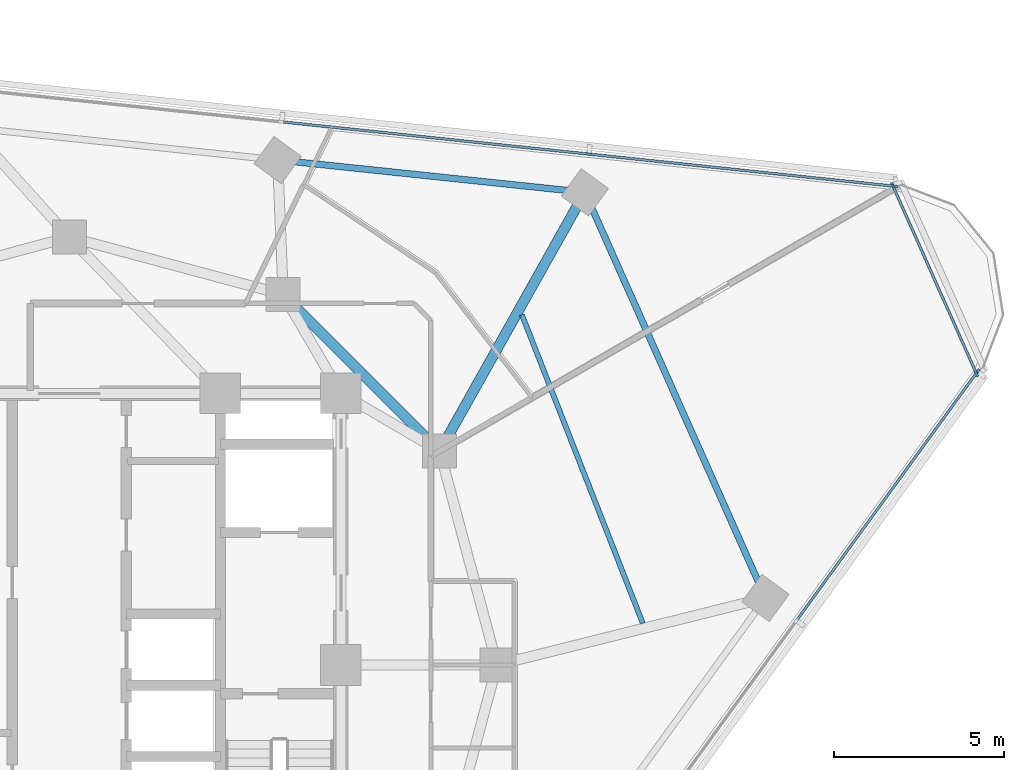
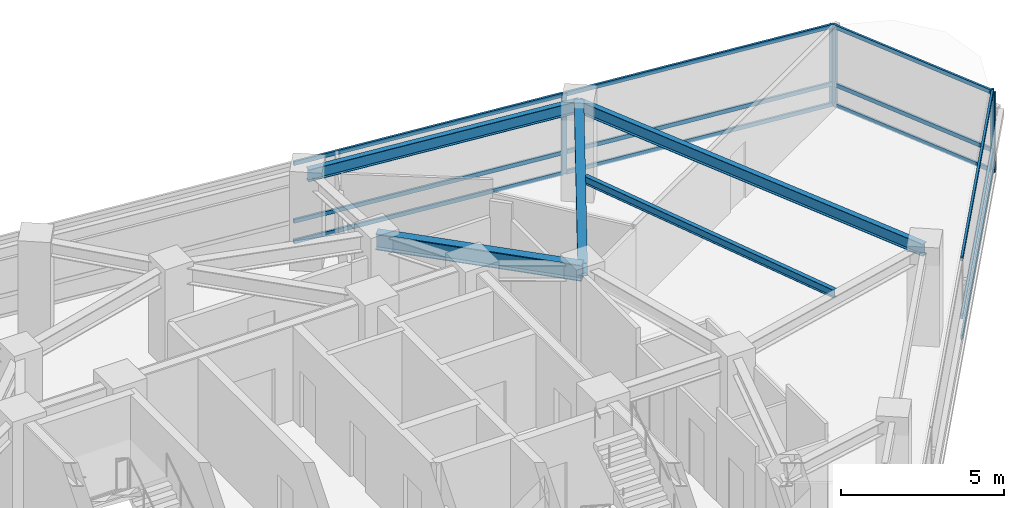
# One storey, part 6 of 14: 17 members, 5 beams, 3 elements without a shape of their own.
"""IFC4 building model written with IfcOpenShell, lengths in metres."""

from ifc_helpers import new_model, si_unit, direction, frame, origin, origin_2d, place, context, subcontext, project, spatial, rectangle, i_section, extrude, material, layer, layer_set, material_profile, profile_set, type_object, element, aggregate, save


model = new_model("IFC4")

# Units and contexts
model_context = context("Model", 3, precision=1e-05, world=origin(), true_north=direction((0.0, 1.0)))
body_context = subcontext(model_context, "Body", "Model", "MODEL_VIEW")
ifc_project = project(units=[si_unit("LENGTHUNIT", "METRE"), si_unit("AREAUNIT", "SQUARE_METRE"), si_unit("VOLUMEUNIT", "CUBIC_METRE"), si_unit("PLANEANGLEUNIT", "RADIAN"), si_unit("MASSUNIT", "GRAM", prefix="KILO")], contexts=[model_context])

# Site, building, storey
site_placement = place(None, origin())
site = spatial("IfcSite", under=ifc_project, at=site_placement, CompositionType="ELEMENT")
building_placement = place(site_placement, origin())
building = spatial("IfcBuilding", under=site, at=building_placement, Name="Terralouvre Media Tower", CompositionType="ELEMENT")
storey_placement = place(building_placement, frame((0.0, 0.0, 241.10009765625)))
storey = spatial("IfcBuildingStorey", under=building, at=storey_placement, Name="L62", CompositionType="ELEMENT", Elevation=241.10009765625)

# Beam
ifc_material_1 = material(Name="Structural steel S355J2", Category="steel")
ifc_material_profile_1 = material_profile(ifc_material_1, i_section(OverallWidth=0.14990234375, OverallDepth=0.300048828125, WebThickness=0.007080078125, FlangeThickness=0.0107421875, at=origin_2d()), Name="IPE 300")
ifc_profile_set_1 = profile_set([ifc_material_profile_1], Name="Structural steel S355J2")
beam_type_1 = type_object("IfcBeamType", Name="Composite Floor Joist J-IPE300 (IPE 300)", PredefinedType="JOIST", material=ifc_profile_set_1)
beam_1_placement = place(storey_placement, frame((16.89599609375, 1.2236328125, 3.349853515625), z_axis=(-0.364828295423, 0.931074817004, 0.0), x_axis=(-0.931074817004, -0.364828295423, 0.0)))
element("IfcBeam", 1, at=beam_1_placement, inside=storey, type_object=beam_type_1, Name="L62 Framing Beam JT-L62-03", PredefinedType="JOIST", context=body_context, shape_type="SweptSolid", body=[
    extrude(i_section(OverallWidth=0.14990234375, OverallDepth=0.300048828125, WebThickness=0.007080078125, FlangeThickness=0.0107421875, at=origin_2d()), origin(), (0.0, 0.0, 1.0), 9.763427734375),
])

# Curtain wall, members
ifc_material_2 = material(Name="Low-iron laminated double glazing with solar-control coating", Category="glass")
ifc_layer_1 = layer(ifc_material_2, 0.1650390625, Name="Upper Executive Tower Curtain Wall CW-05")
ifc_layer_set_1 = layer_set([ifc_layer_1], Name="Low-iron laminated double glazing with solar-control coating")
curtain_wall_type_1 = type_object("IfcCurtainWallType", Name="Upper Executive Tower Curtain Wall CW-05", PredefinedType="NOTDEFINED", material=ifc_layer_set_1)
curtain_wall_1_placement = place(storey_placement, origin())
curtain_wall_1 = element("IfcCurtainWall", 2, at=curtain_wall_1_placement, inside=storey, type_object=curtain_wall_type_1, Name="L62 Facade Curtain Wall F0", PredefinedType="NOTDEFINED")
ifc_material_3 = material(Name="Anodised extruded aluminium 6063-T6", Category="aluminium")
ifc_material_profile_2 = material_profile(ifc_material_3, rectangle(XDim=0.074951171875, YDim=0.14990234375, at=origin_2d()), Name="ALU 75x150")
ifc_profile_set_2 = profile_set([ifc_material_profile_2], Name="Anodised extruded aluminium 6063-T6")
member_type_1 = type_object("IfcMemberType", Name="Curtain-Wall Horizontal Transom TR-150", PredefinedType="USERDEFINED", material=ifc_profile_set_2)
member_1_placement = place(storey_placement, frame((21.446533203125, 1.3369140625, 0.037353515625), z_axis=(0.587787215692, 0.809015567878, 0.0), x_axis=(-0.809015567878, 0.587787215692, 0.0)))
member_1 = element("IfcMember", 3, at=member_1_placement, type_object=member_type_1, Name="CW-05 transom 5.1", ObjectType="TRANSOM", PredefinedType="USERDEFINED", context=body_context, shape_type="SweptSolid", body=[
    extrude(rectangle(XDim=0.074951171875, YDim=0.14990234375, at=origin_2d()), origin(), (0.0, 0.0, 1.0), 8.987548828125),
])
member_2_placement = place(storey_placement, frame((21.446533203125, 1.3369140625, 0.7998046875), z_axis=(0.587787215692, 0.809015567878, 0.0), x_axis=(-0.809015567878, 0.587787215692, 0.0)))
member_2 = element("IfcMember", 4, at=member_2_placement, type_object=member_type_1, Name="CW-05 transom 5.2", ObjectType="TRANSOM", PredefinedType="USERDEFINED", context=body_context, shape_type="SweptSolid", body=[
    extrude(rectangle(XDim=0.074951171875, YDim=0.14990234375, at=origin_2d()), origin(), (0.0, 0.0, 1.0), 8.987548828125),
])
member_3_placement = place(storey_placement, frame((21.446533203125, 1.3369140625, 2.96240234375), z_axis=(0.587787215692, 0.809015567878, 0.0), x_axis=(-0.809015567878, 0.587787215692, 0.0)))
member_3 = element("IfcMember", 5, at=member_3_placement, type_object=member_type_1, Name="CW-05 transom 5.3", ObjectType="TRANSOM", PredefinedType="USERDEFINED", context=body_context, shape_type="SweptSolid", body=[
    extrude(rectangle(XDim=0.074951171875, YDim=0.14990234375, at=origin_2d()), origin(), (0.0, 0.0, 1.0), 8.987548828125),
])

curtain_wall_2_placement = place(storey_placement, origin())
curtain_wall_2 = element("IfcCurtainWall", 6, at=curtain_wall_2_placement, inside=storey, type_object=curtain_wall_type_1, Name="L62 Facade Curtain Wall F1", PredefinedType="NOTDEFINED")
member_4_placement = place(storey_placement, frame((24.2822265625, 14.103759765625, 0.037353515625), z_axis=(-0.994521813919, 0.104529238206, 0.0), x_axis=(-0.104529238206, -0.994521813919, 0.0)))
member_4 = element("IfcMember", 7, at=member_4_placement, type_object=member_type_1, Name="CW-05 transom 1.1", ObjectType="TRANSOM", PredefinedType="USERDEFINED", context=body_context, shape_type="SweptSolid", body=[
    extrude(rectangle(XDim=0.074951171875, YDim=0.14990234375, at=origin_2d()), origin(), (0.0, 0.0, 1.0), 8.987548828125),
])
member_5_placement = place(storey_placement, frame((24.2822265625, 14.103759765625, 0.7998046875), z_axis=(-0.994521813919, 0.104529238206, 0.0), x_axis=(-0.104529238206, -0.994521813919, 0.0)))
member_5 = element("IfcMember", 8, at=member_5_placement, type_object=member_type_1, Name="CW-05 transom 1.2", ObjectType="TRANSOM", PredefinedType="USERDEFINED", context=body_context, shape_type="SweptSolid", body=[
    extrude(rectangle(XDim=0.074951171875, YDim=0.14990234375, at=origin_2d()), origin(), (0.0, 0.0, 1.0), 8.987548828125),
])
member_6_placement = place(storey_placement, frame((24.2822265625, 14.103759765625, 2.96240234375), z_axis=(-0.994521813919, 0.104529238206, 0.0), x_axis=(-0.104529238206, -0.994521813919, 0.0)))
member_6 = element("IfcMember", 9, at=member_6_placement, type_object=member_type_1, Name="CW-05 transom 1.3", ObjectType="TRANSOM", PredefinedType="USERDEFINED", context=body_context, shape_type="SweptSolid", body=[
    extrude(rectangle(XDim=0.074951171875, YDim=0.14990234375, at=origin_2d()), origin(), (0.0, 0.0, 1.0), 8.987548828125),
])
member_7_placement = place(storey_placement, frame((15.26953125, 15.051025390625, 0.037353515625), z_axis=(-0.994522041896, 0.104527069141, 0.0), x_axis=(-0.104527069141, -0.994522041896, 0.0)))
member_7 = element("IfcMember", 10, at=member_7_placement, type_object=member_type_1, Name="CW-05 transom 2.1", ObjectType="TRANSOM", PredefinedType="USERDEFINED", context=body_context, shape_type="SweptSolid", body=[
    extrude(rectangle(XDim=0.074951171875, YDim=0.14990234375, at=origin_2d()), origin(), (0.0, 0.0, 1.0), 9.025146484375),
])
member_8_placement = place(storey_placement, frame((15.26953125, 15.051025390625, 0.7998046875), z_axis=(-0.994522041896, 0.104527069141, 0.0), x_axis=(-0.104527069141, -0.994522041896, 0.0)))
member_8 = element("IfcMember", 11, at=member_8_placement, type_object=member_type_1, Name="CW-05 transom 2.2", ObjectType="TRANSOM", PredefinedType="USERDEFINED", context=body_context, shape_type="SweptSolid", body=[
    extrude(rectangle(XDim=0.074951171875, YDim=0.14990234375, at=origin_2d()), origin(), (0.0, 0.0, 1.0), 9.025146484375),
])
member_9_placement = place(storey_placement, frame((15.26953125, 15.051025390625, 2.96240234375), z_axis=(-0.994522041896, 0.104527069141, 0.0), x_axis=(-0.104527069141, -0.994522041896, 0.0)))
member_9 = element("IfcMember", 12, at=member_9_placement, type_object=member_type_1, Name="CW-05 transom 2.3", ObjectType="TRANSOM", PredefinedType="USERDEFINED", context=body_context, shape_type="SweptSolid", body=[
    extrude(rectangle(XDim=0.074951171875, YDim=0.14990234375, at=origin_2d()), origin(), (0.0, 0.0, 1.0), 9.025146484375),
])

ifc_material_4 = material(Name="Low-iron laminated double glazing with solar-control coating", Category="glass")
ifc_layer_2 = layer(ifc_material_4, 0.1650390625, Name="Rounded Wind-Corner Curved Glazing CW-04")
ifc_layer_set_2 = layer_set([ifc_layer_2], Name="Low-iron laminated double glazing with solar-control coating")
curtain_wall_type_2 = type_object("IfcCurtainWallType", Name="Rounded Wind-Corner Curved Glazing CW-04", PredefinedType="NOTDEFINED", material=ifc_layer_set_2)
curtain_wall_3_placement = place(storey_placement, origin())
curtain_wall_3 = element("IfcCurtainWall", 13, at=curtain_wall_3_placement, inside=storey, type_object=curtain_wall_type_2, Name="L62 Rounded Wind-Corner Curtain Wall C1", PredefinedType="NOTDEFINED")
member_10_placement = place(storey_placement, frame((26.7119140625, 8.609619140625, 0.037353515625), z_axis=(-0.406735002592, 0.913546188031, 0.0), x_axis=(-0.913546188031, -0.406735002592, 0.0)))
member_10 = element("IfcMember", 14, at=member_10_placement, type_object=member_type_1, Name="CW-04 transom 1.1", ObjectType="TRANSOM", PredefinedType="USERDEFINED", context=body_context, shape_type="SweptSolid", body=[
    extrude(rectangle(XDim=0.074951171875, YDim=0.14990234375, at=origin_2d()), origin(), (0.0, 0.0, 1.0), 5.998779296875),
])
member_11_placement = place(storey_placement, frame((26.7119140625, 8.609619140625, 0.7998046875), z_axis=(-0.406735002592, 0.913546188031, 0.0), x_axis=(-0.913546188031, -0.406735002592, 0.0)))
member_11 = element("IfcMember", 15, at=member_11_placement, type_object=member_type_1, Name="CW-04 transom 1.2", ObjectType="TRANSOM", PredefinedType="USERDEFINED", context=body_context, shape_type="SweptSolid", body=[
    extrude(rectangle(XDim=0.074951171875, YDim=0.14990234375, at=origin_2d()), origin(), (0.0, 0.0, 1.0), 5.998779296875),
])
member_12_placement = place(storey_placement, frame((26.7119140625, 8.609619140625, 2.96240234375), z_axis=(-0.406735002592, 0.913546188031, 0.0), x_axis=(-0.913546188031, -0.406735002592, 0.0)))
member_12 = element("IfcMember", 16, at=member_12_placement, type_object=member_type_1, Name="CW-04 transom 1.3", ObjectType="TRANSOM", PredefinedType="USERDEFINED", context=body_context, shape_type="SweptSolid", body=[
    extrude(rectangle(XDim=0.074951171875, YDim=0.14990234375, at=origin_2d()), origin(), (0.0, 0.0, 1.0), 5.998779296875),
])

# Member
ifc_material_5 = material(Name="Anodised extruded aluminium 6063-T6", Category="aluminium")
ifc_material_profile_3 = material_profile(ifc_material_5, rectangle(XDim=0.074951171875, YDim=0.179931640625, at=origin_2d()), Name="ALU 75x180")
ifc_profile_set_3 = profile_set([ifc_material_profile_3], Name="Anodised extruded aluminium 6063-T6")
member_type_2 = type_object("IfcMemberType", Name="Curtain-Wall Vertical Mullion ML-180", PredefinedType="MULLION", material=ifc_profile_set_3)
member_13_placement = place(storey_placement, frame((26.751220703125, 8.63818359375, 0.0), z_axis=(0.0, 0.0, 1.0), x_axis=(-0.809016959074, 0.587785300879, 0.0)))
member_13 = element("IfcMember", 17, at=member_13_placement, type_object=member_type_2, Name="CW-05 mullion 6", PredefinedType="MULLION", context=body_context, shape_type="SweptSolid", body=[
    extrude(rectangle(XDim=0.074951171875, YDim=0.179931640625, at=origin_2d()), origin(), (0.0, 0.0, 1.0), 3.0),
])

aggregate(curtain_wall_1, [member_13, member_1, member_2, member_3])

member_14_placement = place(storey_placement, frame((24.319580078125, 14.099853515625, 0.0), z_axis=(0.0, 0.0, 1.0), x_axis=(-0.104528561651, -0.994521885028, 0.0)))
member_14 = element("IfcMember", 18, at=member_14_placement, type_object=member_type_2, Name="CW-05 mullion 1", PredefinedType="MULLION", context=body_context, shape_type="SweptSolid", body=[
    extrude(rectangle(XDim=0.074951171875, YDim=0.179931640625, at=origin_2d()), origin(), (0.0, 0.0, 1.0), 3.0),
])

member_15_placement = place(storey_placement, frame((15.306640625, 15.047119140625, 0.0), z_axis=(0.0, 0.0, 1.0), x_axis=(-0.104528561651, -0.994521885028, 0.0)))
member_15 = element("IfcMember", 19, at=member_15_placement, type_object=member_type_2, Name="CW-05 mullion 2", PredefinedType="MULLION", context=body_context, shape_type="SweptSolid", body=[
    extrude(rectangle(XDim=0.074951171875, YDim=0.179931640625, at=origin_2d()), origin(), (0.0, 0.0, 1.0), 3.0),
])

aggregate(curtain_wall_2, [member_14, member_15, member_4, member_5, member_6, member_7, member_8, member_9])

member_16_placement = place(storey_placement, frame((26.727294921875, 8.575439453125, 0.0), z_axis=(0.0, 0.0, 1.0), x_axis=(-0.913545102243, -0.406737441315, 0.0)))
member_16 = element("IfcMember", 20, at=member_16_placement, type_object=member_type_2, Name="CW-04 mullion 1", PredefinedType="MULLION", context=body_context, shape_type="SweptSolid", body=[
    extrude(rectangle(XDim=0.074951171875, YDim=0.179931640625, at=origin_2d()), origin(), (0.0, 0.0, 1.0), 3.0),
])

member_17_placement = place(storey_placement, frame((24.2568359375, 14.1240234375, 0.0), z_axis=(0.0, 0.0, 1.0), x_axis=(-0.913545102243, -0.406737441315, 0.0)))
member_17 = element("IfcMember", 21, at=member_17_placement, type_object=member_type_2, Name="CW-04 mullion 2", PredefinedType="MULLION", context=body_context, shape_type="SweptSolid", body=[
    extrude(rectangle(XDim=0.074951171875, YDim=0.179931640625, at=origin_2d()), origin(), (0.0, 0.0, 1.0), 3.0),
])

aggregate(curtain_wall_3, [member_16, member_17, member_10, member_11, member_12])

# Beams
ifc_material_6 = material(Name="Structural steel S355J2", Category="steel")
ifc_material_profile_4 = material_profile(ifc_material_6, i_section(OverallWidth=0.18994140625, OverallDepth=0.449951171875, WebThickness=0.009521484375, FlangeThickness=0.0146484375, at=origin_2d()), Name="IPE 450")
ifc_profile_set_4 = profile_set([ifc_material_profile_4], Name="Structural steel S355J2")
beam_type_2 = type_object("IfcBeamType", Name="Perimeter Spandrel Beam SPB-450 (IPE 450)", PredefinedType="SPANDREL", material=ifc_profile_set_4)
beam_2_placement = place(storey_placement, frame((20.51025390625, 1.970703125, 3.27490234375), z_axis=(-0.406744336382, 0.913542032323, 0.0), x_axis=(-0.913542032323, -0.406744336382, 0.0)))
element("IfcBeam", 22, at=beam_2_placement, inside=storey, type_object=beam_type_2, Name="L62 Framing Beam BM-L62-PR07", PredefinedType="SPANDREL", context=body_context, shape_type="SweptSolid", body=[
    extrude(i_section(OverallWidth=0.18994140625, OverallDepth=0.449951171875, WebThickness=0.009521484375, FlangeThickness=0.0146484375, at=origin_2d()), origin(), (0.0, 0.0, 1.0), 13.083740234375),
])
beam_3_placement = place(storey_placement, frame((15.1884765625, 13.92333984375, 3.27490234375), z_axis=(-0.994522199081, 0.104525573596, 0.0), x_axis=(-0.104525573596, -0.994522199081, 0.0)))
element("IfcBeam", 23, at=beam_3_placement, inside=storey, type_object=beam_type_2, Name="L62 Framing Beam BM-L62-PR08", PredefinedType="SPANDREL", context=body_context, shape_type="SweptSolid", body=[
    extrude(i_section(OverallWidth=0.18994140625, OverallDepth=0.449951171875, WebThickness=0.009521484375, FlangeThickness=0.0146484375, at=origin_2d()), origin(), (0.0, 0.0, 1.0), 9.099853515625),
])
ifc_material_7 = material(Name="Structural steel S355J2", Category="steel")
ifc_material_profile_5 = material_profile(ifc_material_7, i_section(OverallWidth=0.300048828125, OverallDepth=0.5, WebThickness=0.014404296875, FlangeThickness=0.028076171875, at=origin_2d()), Name="HEB 500")
ifc_profile_set_5 = profile_set([ifc_material_profile_5], Name="Structural steel S355J2")
beam_type_3 = type_object("IfcBeamType", Name="Primary Floor Girder B-HEB500 (HEB 500)", PredefinedType="BEAM", material=ifc_profile_set_5)
beam_4_placement = place(storey_placement, frame((10.911865234375, 6.300048828125, 3.25), z_axis=(0.489262374018, 0.872136646042, 0.0), x_axis=(-0.872136646042, 0.489262374018, 0.0)))
element("IfcBeam", 24, at=beam_4_placement, inside=storey, type_object=beam_type_3, Name="L62 Framing Beam BM-L62-RD08", PredefinedType="BEAM", context=body_context, shape_type="SweptSolid", body=[
    extrude(i_section(OverallWidth=0.300048828125, OverallDepth=0.5, WebThickness=0.014404296875, FlangeThickness=0.028076171875, at=origin_2d()), origin(), (0.0, 0.0, 1.0), 8.740966796875),
])
ifc_material_8 = material(Name="Structural steel S460M", Category="steel")
ifc_material_profile_6 = material_profile(ifc_material_8, i_section(OverallWidth=0.300048828125, OverallDepth=0.60009765625, WebThickness=0.015380859375, FlangeThickness=0.030029296875, at=origin_2d()), Name="HEB 600")
ifc_profile_set_6 = profile_set([ifc_material_profile_6], Name="Structural steel S460M")
beam_type_4 = type_object("IfcBeamType", Name="Primary Floor Girder B-HEB600 (HEB 600)", PredefinedType="BEAM", material=ifc_profile_set_6)
beam_5_placement = place(storey_placement, frame((10.911865234375, 6.300048828125, 3.199951171875), z_axis=(-0.707106781187, 0.707106781187, 0.0), x_axis=(-0.707106781187, -0.707106781187, 0.0)))
element("IfcBeam", 25, at=beam_5_placement, inside=storey, type_object=beam_type_4, Name="L62 Framing Beam BM-L62-MR07", PredefinedType="BEAM", context=body_context, shape_type="SweptSolid", body=[
    extrude(i_section(OverallWidth=0.300048828125, OverallDepth=0.60009765625, WebThickness=0.015380859375, FlangeThickness=0.030029296875, at=origin_2d()), origin(), (0.0, 0.0, 1.0), 6.52197265625),
])

save(model, "model.ifc")
